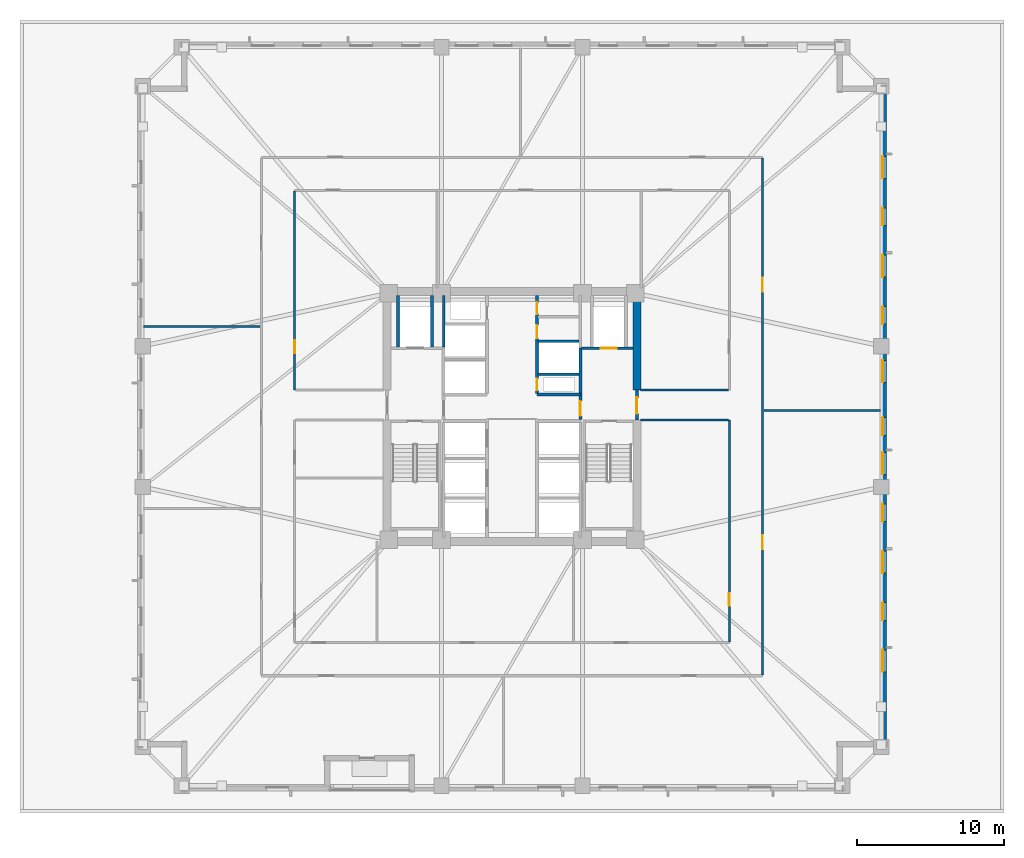
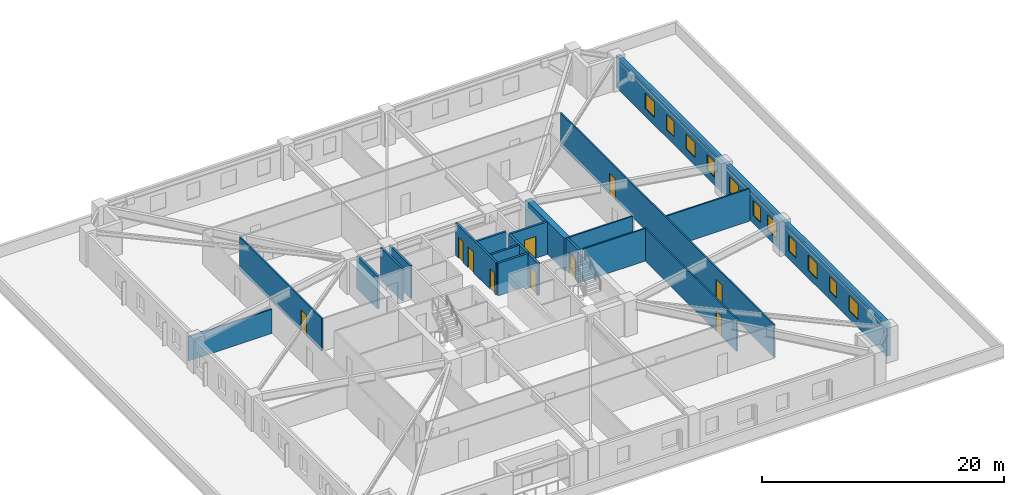
# One storey, part 5 of 12: 19 walls, 11 windows, 10 doors, 21 openings.
"""IFC4 building model written with IfcOpenShell, lengths in metres."""

from ifc_helpers import new_model, si_unit, direction, frame, frame_2d, origin, place, context, subcontext, project, spatial, rectangle, extrude, material, layer, layer_set, type_object, element, fill, save


model = new_model("IFC4")

# Units and contexts
model_context = context("Model", 3, precision=1e-05, world=origin(), true_north=direction((0.0, 1.0)))
body_context = subcontext(model_context, "Body", "Model", "MODEL_VIEW")
ifc_project = project(units=[si_unit("LENGTHUNIT", "METRE"), si_unit("AREAUNIT", "SQUARE_METRE"), si_unit("VOLUMEUNIT", "CUBIC_METRE"), si_unit("PLANEANGLEUNIT", "RADIAN"), si_unit("MASSUNIT", "GRAM", prefix="KILO")], contexts=[model_context])

# Site, building, storey
site_placement = place(None, origin())
site = spatial("IfcSite", under=ifc_project, at=site_placement, CompositionType="ELEMENT")
building_placement = place(site_placement, origin())
building = spatial("IfcBuilding", under=site, at=building_placement, Name="Cairnveth Concourse Tower", CompositionType="ELEMENT")
storey_placement = place(building_placement, frame((0.0, 0.0, 23.5)))
storey = spatial("IfcBuildingStorey", under=building, at=storey_placement, Name="L05", CompositionType="ELEMENT", Elevation=23.5)

# Walls
ifc_material_1 = material(Name="Concrete N80 (80 MPa)", Category="concrete")
ifc_layer_1 = layer(ifc_material_1, 0.550048828125)
ifc_layer_set_1 = layer_set([ifc_layer_1], Name="Concrete N80 (80 MPa)")
wall_type_1 = type_object("IfcWallType", Name="CORE SHEAR WALL 550", PredefinedType="SHEAR", material=ifc_layer_set_1)
wall_1_placement = place(storey_placement, frame((60.5, 40.800048828125, 0.0), z_axis=(0.0, 0.0, 1.0), x_axis=(0.0, 1.0, 0.0)))
element("IfcWall", 1, at=wall_1_placement, inside=storey, type_object=wall_type_1, Name="Core East Shear Wall N L05", PredefinedType="SHEAR", context=body_context, shape_type="SweptSolid", body=[
    extrude(rectangle(XDim=6.43505859375, YDim=0.550048828125, at=frame_2d((3.217529296875, 0.0))), origin(), (0.0, 0.0, 1.0), 3.280029296875),
])
ifc_material_2 = material(Name="Concrete N50 (50 MPa)", Category="concrete")
ifc_layer_2 = layer(ifc_material_2, 0.179931640625)
ifc_layer_set_2 = layer_set([ifc_layer_2], Name="Concrete N50 (50 MPa)")
wall_type_2 = type_object("IfcWallType", Name="FIRE SHAFT WALL 180", PredefinedType="SOLIDWALL", material=ifc_layer_set_2)
wall_2_placement = place(storey_placement, frame((47.35009765625, 43.735107421875, 0.0), z_axis=(0.0, 0.0, 1.0), x_axis=(0.0, 1.0, 0.0)))
element("IfcWall", 2, at=wall_2_placement, inside=storey, type_object=wall_type_2, Name="Interior Wall IW-L05-031", PredefinedType="SOLIDWALL", context=body_context, shape_type="SweptSolid", body=[
    extrude(rectangle(XDim=3.5048828125, YDim=0.179931640625, at=frame_2d((1.75244140625, 0.0))), origin(), (0.0, 0.0, 1.0), 3.280029296875),
])
wall_3_placement = place(storey_placement, frame((53.784912109375, 41.8798828125, 0.0), z_axis=(0.0, 0.0, 1.0), x_axis=(1.0, 0.0, 0.0)))
element("IfcWall", 3, at=wall_3_placement, inside=storey, type_object=wall_type_2, Name="Interior Wall IW-L05-035", PredefinedType="SOLIDWALL", context=body_context, shape_type="SweptSolid", body=[
    extrude(rectangle(XDim=2.780029296875, YDim=0.179931640625, at=frame_2d((1.39013671875, 0.0))), origin(), (0.0, 0.0, 1.0), 3.280029296875),
])
wall_4_placement = place(storey_placement, frame((53.784912109375, 44.1201171875, 0.0), z_axis=(0.0, 0.0, 1.0), x_axis=(1.0, 0.0, 0.0)))
element("IfcWall", 4, at=wall_4_placement, inside=storey, type_object=wall_type_2, Name="Interior Wall IW-L05-036", PredefinedType="SOLIDWALL", context=body_context, shape_type="SweptSolid", body=[
    extrude(rectangle(XDim=2.7900390625, YDim=0.179931640625, at=frame_2d((1.39501953125, 0.0))), origin(), (0.0, 0.0, 1.0), 3.280029296875),
])
ifc_layer_3 = layer(ifc_material_2, 0.199951171875)
ifc_layer_set_3 = layer_set([ifc_layer_3], Name="Concrete N50 (50 MPa)")
wall_type_3 = type_object("IfcWallType", Name="FIRE SHAFT WALL 200", PredefinedType="SOLIDWALL", material=ifc_layer_set_3)
wall_5_placement = place(storey_placement, frame((53.699951171875, 40.5, 0.0), z_axis=(0.0, 0.0, 1.0), x_axis=(1.0, 0.0, 0.0)))
element("IfcWall", 5, at=wall_5_placement, inside=storey, type_object=wall_type_3, Name="Interior Wall IW-L05-010", PredefinedType="SOLIDWALL", context=body_context, shape_type="SweptSolid", body=[
    extrude(rectangle(XDim=2.949951171875, YDim=0.199951171875, at=frame_2d((1.47509765625, 0.0))), origin(), (0.0, 0.0, 1.0), 3.280029296875),
])

# Wall, openings, doors
wall_6_placement = place(storey_placement, frame((53.699951171875, 40.5849609375, 0.0), z_axis=(0.0, 0.0, 1.0), x_axis=(0.0, 1.0, 0.0)))
wall_6 = element("IfcWall", 6, at=wall_6_placement, inside=storey, type_object=wall_type_3, Name="Interior Wall IW-L05-014", PredefinedType="SOLIDWALL", context=body_context, shape_type="SweptSolid", body=[
    extrude(rectangle(XDim=6.655029296875, YDim=0.199951171875, at=frame_2d((3.32763671875, 0.0))), origin(), (0.0, 0.0, 1.0), 3.280029296875),
])
opening_1_placement = place(wall_6_placement, frame((0.195068359375, 0.0, 0.0)))
opening_1 = element("IfcOpeningElement", 7, at=opening_1_placement, cuts=wall_6, Name="Opening ID24", PredefinedType="OPENING", context=body_context, shape_type="SweptSolid", body=[
    extrude(rectangle(XDim=0.800048828125, YDim=2.080078125, at=frame_2d((0.39990234375, 1.0400390625))), frame((0.0, 0.10986328125, 0.0), z_axis=(0.0, -1.0, 0.0), x_axis=(1.0, 0.0, 0.0)), (0.0, 0.0, 1.0), 0.219970703125),
])
opening_2_placement = place(wall_6_placement, frame((3.735107421875, 0.0, 0.0)))
opening_2 = element("IfcOpeningElement", 8, at=opening_2_placement, cuts=wall_6, Name="Opening ID26", PredefinedType="OPENING", context=body_context, shape_type="SweptSolid", body=[
    extrude(rectangle(XDim=0.89990234375, YDim=2.1201171875, at=frame_2d((0.449951171875, 1.06005859375))), frame((0.0, 0.10986328125, 0.0), z_axis=(0.0, -1.0, 0.0), x_axis=(1.0, 0.0, 0.0)), (0.0, 0.0, 1.0), 0.219970703125),
])
opening_3_placement = place(wall_6_placement, frame((5.39501953125, 0.0, 0.0)))
opening_3 = element("IfcOpeningElement", 9, at=opening_3_placement, cuts=wall_6, Name="Opening ID23", PredefinedType="OPENING", context=body_context, shape_type="SweptSolid", body=[
    extrude(rectangle(XDim=0.800048828125, YDim=2.10009765625, at=frame_2d((0.39990234375, 1.050048828125))), frame((0.0, 0.10986328125, 0.0), z_axis=(0.0, -1.0, 0.0), x_axis=(1.0, 0.0, 0.0)), (0.0, 0.0, 1.0), 0.219970703125),
])
ifc_material_3 = material(Name="Steel Grade 350", Category="steel")
door_type_1 = type_object("IfcDoorType", Name="CORE SERVICE DOOR 800X2100", OperationType="NOTDEFINED", PredefinedType="DOOR", material=ifc_material_3)
door_1_placement = place(opening_3_placement, origin())
door_1 = element("IfcDoor", 10, at=door_1_placement, inside=storey, type_object=door_type_1, Name="Core NE Cleaners Door L05", OperationType="SINGLE_SWING_LEFT", OverallHeight=2.10009765625, OverallWidth=0.800048828125, PredefinedType="DOOR", context=body_context, shape_type="SweptSolid", body=[
    extrude(rectangle(XDim=0.800048828125, YDim=2.10009765625, at=frame_2d((0.39990234375, 1.050048828125))), frame((0.0, 0.02490234375, 0.0), z_axis=(0.0, -1.0, 0.0), x_axis=(1.0, 0.0, 0.0)), (0.0, 0.0, 1.0), 0.050048828125),
])
fill(opening_3, door_1)
door_type_2 = type_object("IfcDoorType", Name="CORE TOILET FIRE DOOR 900X2120", OperationType="NOTDEFINED", PredefinedType="DOOR", material=ifc_material_3)
door_2_placement = place(opening_2_placement, origin())
door_2 = element("IfcDoor", 11, at=door_2_placement, inside=storey, type_object=door_type_2, Name="Core NE Unisex WC Door L05", OperationType="SINGLE_SWING_RIGHT", OverallHeight=2.1201171875, OverallWidth=0.89990234375, PredefinedType="DOOR", context=body_context, shape_type="SweptSolid", body=[
    extrude(rectangle(XDim=0.89990234375, YDim=2.1201171875, at=frame_2d((0.449951171875, 1.06005859375))), frame((0.0, 0.02490234375, 0.0), z_axis=(0.0, -1.0, 0.0), x_axis=(1.0, 0.0, 0.0)), (0.0, 0.0, 1.0), 0.050048828125),
])
fill(opening_2, door_2)
door_type_3 = type_object("IfcDoorType", Name="RISER ACCESS DOOR 800X2100", OperationType="NOTDEFINED", PredefinedType="DOOR", material=ifc_material_3)
door_3_placement = place(opening_1_placement, origin())
door_3 = element("IfcDoor", 12, at=door_3_placement, inside=storey, type_object=door_type_3, Name="Hydraulic Riser Door L05", OperationType="SINGLE_SWING_LEFT", OverallHeight=2.080078125, OverallWidth=0.800048828125, PredefinedType="DOOR", context=body_context, shape_type="SweptSolid", body=[
    extrude(rectangle(XDim=0.800048828125, YDim=2.080078125, at=frame_2d((0.39990234375, 1.0400390625))), frame((0.0, 0.02490234375, 0.0), z_axis=(0.0, -1.0, 0.0), x_axis=(1.0, 0.0, 0.0)), (0.0, 0.0, 1.0), 0.050048828125),
])
fill(opening_1, door_3)

# Walls
for number, where, z_axis, x_axis, name in (
    (13, (46.550048828125, 43.735107421875, 0.0), (0.0, 0.0, 1.0), (0.0, 1.0, 0.0), "Interior Wall IW-L05-018"),
    (14, (44.25, 43.735107421875, 0.0), (0.0, 0.0, 1.0), (0.0, 1.0, 0.0), "Interior Wall IW-L05-019"),
):
    element("IfcWall", number, at=place(storey_placement, frame(where, z_axis=z_axis, x_axis=x_axis)), inside=storey, type_object=wall_type_3, Name=name, PredefinedType="SOLIDWALL", context=body_context, shape_type="SweptSolid", body=[
        extrude(rectangle(XDim=3.5048828125, YDim=0.199951171875, at=frame_2d((1.75244140625, 0.0))), origin(), (0.0, 0.0, 1.0), 3.280029296875),
    ])

# Wall, opening, door
wall_7_placement = place(storey_placement, frame((60.5, 38.75, 0.0), z_axis=(0.0, 0.0, 1.0), x_axis=(0.0, 1.0, 0.0)))
wall_7 = element("IfcWall", 15, at=wall_7_placement, inside=storey, type_object=wall_type_3, Name="Interior Wall IW-L05-020", PredefinedType="SOLIDWALL", context=body_context, shape_type="SweptSolid", body=[
    extrude(rectangle(XDim=2.050048828125, YDim=0.199951171875, at=frame_2d((1.02490234375, 0.0))), origin(), (0.0, 0.0, 1.0), 3.280029296875),
])
opening_4_placement = place(wall_7_placement, frame((0.449951171875, 0.0, 0.0)))
opening_4 = element("IfcOpeningElement", 16, at=opening_4_placement, cuts=wall_7, Name="Opening ID06", PredefinedType="OPENING", context=body_context, shape_type="SweptSolid", body=[
    extrude(rectangle(XDim=1.10009765625, YDim=2.14990234375, at=frame_2d((0.550048828125, 1.074951171875))), frame((0.0, 0.10986328125, 0.0), z_axis=(0.0, -1.0, 0.0), x_axis=(1.0, 0.0, 0.0)), (0.0, 0.0, 1.0), 0.219970703125),
])
door_type_4 = type_object("IfcDoorType", Name="FIRE CORRIDOR DOOR 1100X2150", OperationType="NOTDEFINED", PredefinedType="DOOR", material=ifc_material_3)
door_4_placement = place(opening_4_placement, origin())
door_4 = element("IfcDoor", 17, at=door_4_placement, inside=storey, type_object=door_type_4, Name="East Wing to FF Lobby Door L05", OperationType="SINGLE_SWING_RIGHT", OverallHeight=2.14990234375, OverallWidth=1.10009765625, PredefinedType="DOOR", context=body_context, shape_type="SweptSolid", body=[
    extrude(rectangle(XDim=1.10009765625, YDim=2.14990234375, at=frame_2d((0.550048828125, 1.074951171875))), frame((0.0, 0.02490234375, 0.0), z_axis=(0.0, -1.0, 0.0), x_axis=(1.0, 0.0, 0.0)), (0.0, 0.0, 1.0), 0.050048828125),
])
fill(opening_4, door_4)

wall_8_placement = place(storey_placement, frame((56.64990234375, 38.784912109375, 0.0), z_axis=(0.0, 0.0, 1.0), x_axis=(0.0, 1.0, 0.0)))
wall_8 = element("IfcWall", 18, at=wall_8_placement, inside=storey, type_object=wall_type_3, Name="Interior Wall IW-L05-021", PredefinedType="SOLIDWALL", context=body_context, shape_type="SweptSolid", body=[
    extrude(rectangle(XDim=4.864990234375, YDim=0.199951171875, at=frame_2d((2.4326171875, 0.0))), origin(), (0.0, 0.0, 1.0), 3.280029296875),
])
opening_5_placement = place(wall_8_placement, frame((0.264892578125, 0.0, 0.0)))
opening_5 = element("IfcOpeningElement", 19, at=opening_5_placement, cuts=wall_8, Name="Opening ID07", PredefinedType="OPENING", context=body_context, shape_type="SweptSolid", body=[
    extrude(rectangle(XDim=1.0, YDim=2.14990234375, at=frame_2d((0.5, 1.074951171875))), frame((0.0, 0.10986328125, 0.0), z_axis=(0.0, -1.0, 0.0), x_axis=(1.0, 0.0, 0.0)), (0.0, 0.0, 1.0), 0.219970703125),
])
door_type_5 = type_object("IfcDoorType", Name="FIRE CORRIDOR DOOR 1000X2150", OperationType="NOTDEFINED", PredefinedType="DOOR", material=ifc_material_3)
door_5_placement = place(opening_5_placement, origin())
door_5 = element("IfcDoor", 20, at=door_5_placement, inside=storey, type_object=door_type_5, Name="FF Lobby East to Lift Lobby Door L05", OperationType="SINGLE_SWING_LEFT", OverallHeight=2.14990234375, OverallWidth=1.0, PredefinedType="DOOR", context=body_context, shape_type="SweptSolid", body=[
    extrude(rectangle(XDim=1.0, YDim=2.14990234375, at=frame_2d((0.5, 1.074951171875))), frame((0.0, 0.02490234375, 0.0), z_axis=(0.0, -1.0, 0.0), x_axis=(1.0, 0.0, 0.0)), (0.0, 0.0, 1.0), 0.050048828125),
])
fill(opening_5, door_5)

wall_9_placement = place(storey_placement, frame((56.735107421875, 43.64990234375, 0.0), z_axis=(0.0, 0.0, 1.0), x_axis=(1.0, 0.0, 0.0)))
wall_9 = element("IfcWall", 21, at=wall_9_placement, inside=storey, type_object=wall_type_3, Name="Interior Wall IW-L05-022", PredefinedType="SOLIDWALL", context=body_context, shape_type="SweptSolid", body=[
    extrude(rectangle(XDim=3.5048828125, YDim=0.199951171875, at=frame_2d((1.75244140625, 0.0))), origin(), (0.0, 0.0, 1.0), 3.280029296875),
])
opening_6_placement = place(wall_9_placement, frame((1.294921875, 0.0, 0.0)))
opening_6 = element("IfcOpeningElement", 22, at=opening_6_placement, cuts=wall_9, Name="Opening LD-1", PredefinedType="OPENING", context=body_context, shape_type="SweptSolid", body=[
    extrude(rectangle(XDim=1.10009765625, YDim=2.199951171875, at=frame_2d((0.550048828125, 1.10009765625))), frame((0.0, 0.10986328125, 0.0), z_axis=(0.0, -1.0, 0.0), x_axis=(1.0, 0.0, 0.0)), (0.0, 0.0, 1.0), 0.219970703125),
])
ifc_material_4 = material(Name="Architectural Bronze Anodised Aluminium 6063-T6", Category="aluminium")
door_type_6 = type_object("IfcDoorType", Name="LIFT LANDING DOOR 1100X2200", OperationType="SLIDING_TO_LEFT", PredefinedType="DOOR", material=ifc_material_4)
door_6_placement = place(opening_6_placement, origin())
door_6 = element("IfcDoor", 23, at=door_6_placement, inside=storey, type_object=door_type_6, Name="Lift FFL2 Landing Door L05", OperationType="SLIDING_TO_LEFT", OverallHeight=2.199951171875, OverallWidth=1.10009765625, PredefinedType="DOOR", context=body_context, shape_type="SweptSolid", body=[
    extrude(rectangle(XDim=1.10009765625, YDim=2.199951171875, at=frame_2d((0.550048828125, 1.10009765625))), frame((0.0, 0.02490234375, 0.0), z_axis=(0.0, -1.0, 0.0), x_axis=(1.0, 0.0, 0.0)), (0.0, 0.0, 1.0), 0.050048828125),
])
fill(opening_6, door_6)

# Wall, openings, doors
ifc_material_5 = material(Name="Gypsum Plasterboard Partition", Category="gypsum")
ifc_layer_4 = layer(ifc_material_5, 0.139892578125)
ifc_layer_set_4 = layer_set([ifc_layer_4], Name="Gypsum Plasterboard Partition")
wall_type_4 = type_object("IfcWallType", Name="GYPSUM STUD PARTITION 140", PredefinedType="PARTITIONING", material=ifc_layer_set_4)
wall_10_placement = place(storey_placement, frame((69.050048828125, 21.405029296875, 0.0), z_axis=(0.0, 0.0, 1.0), x_axis=(0.0, 1.0, 0.0)))
wall_10 = element("IfcWall", 24, at=wall_10_placement, inside=storey, type_object=wall_type_4, Name="Interior Wall IW-L05-041", PredefinedType="PARTITIONING", context=body_context, shape_type="SweptSolid", body=[
    extrude(rectangle(XDim=35.18994140625, YDim=0.139892578125, at=frame_2d((17.594970703125, 0.0))), origin(), (0.0, 0.0, 1.0), 3.280029296875),
])
opening_7_placement = place(wall_10_placement, frame((8.544921875, 0.0, 0.0)))
opening_7 = element("IfcOpeningElement", 25, at=opening_7_placement, cuts=wall_10, Name="Opening ID11", PredefinedType="OPENING", context=body_context, shape_type="SweptSolid", body=[
    extrude(rectangle(XDim=0.9599609375, YDim=2.1201171875, at=frame_2d((0.47998046875, 1.06005859375))), frame((0.0, 0.079833984375, 0.0), z_axis=(0.0, -1.0, 0.0), x_axis=(1.0, 0.0, 0.0)), (0.0, 0.0, 1.0), 0.159912109375),
])
opening_8_placement = place(wall_10_placement, frame((26.0947265625, 0.0, 0.0)))
opening_8 = element("IfcOpeningElement", 26, at=opening_8_placement, cuts=wall_10, Name="Opening ID11", PredefinedType="OPENING", context=body_context, shape_type="SweptSolid", body=[
    extrude(rectangle(XDim=0.9599609375, YDim=2.1201171875, at=frame_2d((0.47998046875, 1.06005859375))), frame((0.0, 0.079833984375, 0.0), z_axis=(0.0, -1.0, 0.0), x_axis=(1.0, 0.0, 0.0)), (0.0, 0.0, 1.0), 0.159912109375),
])
ifc_material_6 = material(Name="Solid Core Hardwood Timber Leaf", Category="wood")
door_type_7 = type_object("IfcDoorType", Name="INTERIOR SINGLE DOOR 960X2150", OperationType="NOTDEFINED", PredefinedType="DOOR", material=ifc_material_6)
door_7_placement = place(opening_7_placement, origin())
door_7 = element("IfcDoor", 27, at=door_7_placement, inside=storey, type_object=door_type_7, Name="Office Door L05-E1", OperationType="SINGLE_SWING_RIGHT", OverallHeight=2.1201171875, OverallWidth=0.9599609375, PredefinedType="DOOR", context=body_context, shape_type="SweptSolid", body=[
    extrude(rectangle(XDim=0.9599609375, YDim=2.1201171875, at=frame_2d((0.47998046875, 1.06005859375))), frame((0.0, 0.02490234375, 0.0), z_axis=(0.0, -1.0, 0.0), x_axis=(1.0, 0.0, 0.0)), (0.0, 0.0, 1.0), 0.050048828125),
])
fill(opening_7, door_7)
door_8_placement = place(opening_8_placement, origin())
door_8 = element("IfcDoor", 28, at=door_8_placement, inside=storey, type_object=door_type_7, Name="Office Door L05-E2", OperationType="SINGLE_SWING_LEFT", OverallHeight=2.1201171875, OverallWidth=0.9599609375, PredefinedType="DOOR", context=body_context, shape_type="SweptSolid", body=[
    extrude(rectangle(XDim=0.9599609375, YDim=2.1201171875, at=frame_2d((0.47998046875, 1.06005859375))), frame((0.0, 0.02490234375, 0.0), z_axis=(0.0, -1.0, 0.0), x_axis=(1.0, 0.0, 0.0)), (0.0, 0.0, 1.0), 0.050048828125),
])
fill(opening_8, door_8)

# Wall, opening, door
wall_11_placement = place(storey_placement, frame((37.199951171875, 40.800048828125, 0.0), z_axis=(0.0, 0.0, 1.0), x_axis=(0.0, 1.0, 0.0)))
wall_11 = element("IfcWall", 29, at=wall_11_placement, inside=storey, type_object=wall_type_4, Name="Interior Wall IW-L05-045", PredefinedType="PARTITIONING", context=body_context, shape_type="SweptSolid", body=[
    extrude(rectangle(XDim=13.544921875, YDim=0.139892578125, at=frame_2d((6.7724609375, 0.0))), origin(), (0.0, 0.0, 1.0), 3.280029296875),
])
opening_9_placement = place(wall_11_placement, frame((2.5, 0.0, 0.0)))
opening_9 = element("IfcOpeningElement", 30, at=opening_9_placement, cuts=wall_11, Name="Opening ID18", PredefinedType="OPENING", context=body_context, shape_type="SweptSolid", body=[
    extrude(rectangle(XDim=0.8798828125, YDim=2.10009765625, at=frame_2d((0.43994140625, 1.050048828125))), frame((0.0, 0.079833984375, 0.0), z_axis=(0.0, -1.0, 0.0), x_axis=(1.0, 0.0, 0.0)), (0.0, 0.0, 1.0), 0.159912109375),
])
door_type_8 = type_object("IfcDoorType", Name="INTERIOR SINGLE DOOR 880X2100", OperationType="NOTDEFINED", PredefinedType="DOOR", material=ifc_material_6)
door_9_placement = place(opening_9_placement, origin())
door_9 = element("IfcDoor", 31, at=door_9_placement, inside=storey, type_object=door_type_8, Name="Interior Door DR-L05-022", OperationType="SINGLE_SWING_RIGHT", OverallHeight=2.10009765625, OverallWidth=0.8798828125, PredefinedType="DOOR", context=body_context, shape_type="SweptSolid", body=[
    extrude(rectangle(XDim=0.8798828125, YDim=2.10009765625, at=frame_2d((0.43994140625, 1.050048828125))), frame((0.0, 0.02490234375, 0.0), z_axis=(0.0, -1.0, 0.0), x_axis=(1.0, 0.0, 0.0)), (0.0, 0.0, 1.0), 0.050048828125),
])
fill(opening_9, door_9)

wall_12_placement = place(storey_placement, frame((66.800048828125, 23.655029296875, 0.0), z_axis=(0.0, 0.0, 1.0), x_axis=(0.0, 1.0, 0.0)))
wall_12 = element("IfcWall", 32, at=wall_12_placement, inside=storey, type_object=wall_type_4, Name="Interior Wall IW-L05-048", PredefinedType="PARTITIONING", context=body_context, shape_type="SweptSolid", body=[
    extrude(rectangle(XDim=15.094970703125, YDim=0.139892578125, at=frame_2d((7.54736328125, 0.0))), origin(), (0.0, 0.0, 1.0), 3.280029296875),
])
opening_10_placement = place(wall_12_placement, frame((2.445068359375, 0.0, 0.0)))
opening_10 = element("IfcOpeningElement", 33, at=opening_10_placement, cuts=wall_12, Name="Opening ID18", PredefinedType="OPENING", context=body_context, shape_type="SweptSolid", body=[
    extrude(rectangle(XDim=0.8798828125, YDim=2.10009765625, at=frame_2d((0.43994140625, 1.050048828125))), frame((0.0, 0.079833984375, 0.0), z_axis=(0.0, -1.0, 0.0), x_axis=(1.0, 0.0, 0.0)), (0.0, 0.0, 1.0), 0.159912109375),
])
door_10_placement = place(opening_10_placement, origin())
door_10 = element("IfcDoor", 34, at=door_10_placement, inside=storey, type_object=door_type_8, Name="Interior Door DR-L05-023", OperationType="SINGLE_SWING_LEFT", OverallHeight=2.10009765625, OverallWidth=0.8798828125, PredefinedType="DOOR", context=body_context, shape_type="SweptSolid", body=[
    extrude(rectangle(XDim=0.8798828125, YDim=2.10009765625, at=frame_2d((0.43994140625, 1.050048828125))), frame((0.0, 0.02490234375, 0.0), z_axis=(0.0, -1.0, 0.0), x_axis=(1.0, 0.0, 0.0)), (0.0, 0.0, 1.0), 0.050048828125),
])
fill(opening_10, door_10)

# Walls
for number, where, z_axis, x_axis, name in (
    (35, (60.760009765625, 38.75, 0.0), (0.0, 0.0, 1.0), (1.0, 0.0, 0.0), "Interior Wall IW-L05-050"),
    (36, (60.760009765625, 40.800048828125, 0.0), (0.0, 0.0, 1.0), (1.0, 0.0, 0.0), "Interior Wall IW-L05-051"),
):
    element("IfcWall", number, at=place(storey_placement, frame(where, z_axis=z_axis, x_axis=x_axis)), inside=storey, type_object=wall_type_4, Name=name, PredefinedType="PARTITIONING", context=body_context, shape_type="SweptSolid", body=[
        extrude(rectangle(XDim=5.985107421875, YDim=0.139892578125, at=frame_2d((2.99267578125, 0.0))), origin(), (0.0, 0.0, 1.0), 3.280029296875),
    ])
wall_13_placement = place(storey_placement, frame((26.919921875, 45.133544921875, 0.0), z_axis=(0.0, 0.0, 1.0), x_axis=(1.0, 0.0, 0.0)))
element("IfcWall", 37, at=wall_13_placement, inside=storey, type_object=wall_type_4, Name="Interior Wall IW-L05-060", PredefinedType="PARTITIONING", context=body_context, shape_type="SweptSolid", body=[
    extrude(rectangle(XDim=7.93017578125, YDim=0.139892578125, at=frame_2d((3.965087890625, 0.0))), origin(), (0.0, 0.0, 1.0), 2.43896484375),
])
wall_14_placement = place(storey_placement, frame((69.14990234375, 39.409423828125, 0.0), z_axis=(0.0, 0.0, 1.0), x_axis=(1.0, 0.0, 0.0)))
element("IfcWall", 38, at=wall_14_placement, inside=storey, type_object=wall_type_4, Name="Interior Wall IW-L05-061", PredefinedType="PARTITIONING", context=body_context, shape_type="SweptSolid", body=[
    extrude(rectangle(XDim=7.93017578125, YDim=0.139892578125, at=frame_2d((3.965087890625, 0.0))), origin(), (0.0, 0.0, 1.0), 3.280029296875),
])

# Wall, openings, windows
ifc_material_7 = material(Name="Hawthorn Red-Ochre Fired Clay Brick Masonry", Category="masonry")
ifc_layer_5 = layer(ifc_material_7, 0.360107421875)
ifc_layer_set_5 = layer_set([ifc_layer_5], Name="Hawthorn Red-Ochre Fired Clay Brick Masonry")
wall_type_5 = type_object("IfcWallType", Name="ZONE 1 BRICK PIER SPANDREL WALL 360", PredefinedType="SOLIDWALL", material=ifc_layer_set_5)
wall_15_placement = place(storey_placement, frame((77.320068359375, 61.5, 0.0), z_axis=(0.0, 0.0, 1.0), x_axis=(0.0, -1.0, 0.0)))
wall_15 = element("IfcWall", 39, at=wall_15_placement, inside=storey, type_object=wall_type_5, Name="Exterior Wall EW-L05-S09", PredefinedType="SOLIDWALL", context=body_context, shape_type="SweptSolid", body=[
    extrude(rectangle(XDim=44.662109375, YDim=0.360107421875, at=frame_2d((22.3310546875, 0.0))), origin(), (0.0, 0.0, 1.0), 3.280029296875),
])
opening_11_placement = place(wall_15_placement, frame((4.780029296875, 0.0, 0.800048828125)))
opening_11 = element("IfcOpeningElement", 40, at=opening_11_placement, cuts=wall_15, Name="Opening W03", PredefinedType="OPENING", context=body_context, shape_type="SweptSolid", body=[
    extrude(rectangle(XDim=1.5, YDim=1.5439453125, at=frame_2d((0.75, 0.77197265625))), frame((0.0, 0.18994140625, 0.0), z_axis=(0.0, -1.0, 0.0), x_axis=(1.0, 0.0, 0.0)), (0.0, 0.0, 1.0), 0.380126953125),
])
opening_12_placement = place(wall_15_placement, frame((8.290283203125, 0.0, 0.800048828125)))
opening_12 = element("IfcOpeningElement", 41, at=opening_12_placement, cuts=wall_15, Name="Opening W01", PredefinedType="OPENING", context=body_context, shape_type="SweptSolid", body=[
    extrude(rectangle(XDim=1.199951171875, YDim=1.5439453125, at=frame_2d((0.60009765625, 0.77197265625))), frame((0.0, 0.18994140625, 0.0), z_axis=(0.0, -1.0, 0.0), x_axis=(1.0, 0.0, 0.0)), (0.0, 0.0, 1.0), 0.380126953125),
])
opening_13_placement = place(wall_15_placement, frame((11.50048828125, 0.0, 0.800048828125)))
opening_13 = element("IfcOpeningElement", 42, at=opening_13_placement, cuts=wall_15, Name="Opening W03", PredefinedType="OPENING", context=body_context, shape_type="SweptSolid", body=[
    extrude(rectangle(XDim=1.5, YDim=1.5439453125, at=frame_2d((0.75, 0.77197265625))), frame((0.0, 0.18994140625, 0.0), z_axis=(0.0, -1.0, 0.0), x_axis=(1.0, 0.0, 0.0)), (0.0, 0.0, 1.0), 0.380126953125),
])
opening_14_placement = place(wall_15_placement, frame((15.010498046875, 0.0, 0.800048828125)))
opening_14 = element("IfcOpeningElement", 43, at=opening_14_placement, cuts=wall_15, Name="Opening W01", PredefinedType="OPENING", context=body_context, shape_type="SweptSolid", body=[
    extrude(rectangle(XDim=1.199951171875, YDim=1.5439453125, at=frame_2d((0.60009765625, 0.77197265625))), frame((0.0, 0.18994140625, 0.0), z_axis=(0.0, -1.0, 0.0), x_axis=(1.0, 0.0, 0.0)), (0.0, 0.0, 1.0), 0.380126953125),
])
opening_15_placement = place(wall_15_placement, frame((18.6708984375, 0.0, 0.800048828125)))
opening_15 = element("IfcOpeningElement", 44, at=opening_15_placement, cuts=wall_15, Name="Opening W03", PredefinedType="OPENING", context=body_context, shape_type="SweptSolid", body=[
    extrude(rectangle(XDim=1.5, YDim=1.5439453125, at=frame_2d((0.75, 0.77197265625))), frame((0.0, 0.18994140625, 0.0), z_axis=(0.0, -1.0, 0.0), x_axis=(1.0, 0.0, 0.0)), (0.0, 0.0, 1.0), 0.380126953125),
])
opening_16_placement = place(wall_15_placement, frame((22.5810546875, 0.0, 0.800048828125)))
opening_16 = element("IfcOpeningElement", 45, at=opening_16_placement, cuts=wall_15, Name="Opening W01", PredefinedType="OPENING", context=body_context, shape_type="SweptSolid", body=[
    extrude(rectangle(XDim=1.199951171875, YDim=1.5439453125, at=frame_2d((0.60009765625, 0.77197265625))), frame((0.0, 0.18994140625, 0.0), z_axis=(0.0, -1.0, 0.0), x_axis=(1.0, 0.0, 0.0)), (0.0, 0.0, 1.0), 0.380126953125),
])
opening_17_placement = place(wall_15_placement, frame((24.941162109375, 0.0, 0.800048828125)))
opening_17 = element("IfcOpeningElement", 46, at=opening_17_placement, cuts=wall_15, Name="Opening W03", PredefinedType="OPENING", context=body_context, shape_type="SweptSolid", body=[
    extrude(rectangle(XDim=1.5, YDim=1.5439453125, at=frame_2d((0.75, 0.77197265625))), frame((0.0, 0.18994140625, 0.0), z_axis=(0.0, -1.0, 0.0), x_axis=(1.0, 0.0, 0.0)), (0.0, 0.0, 1.0), 0.380126953125),
])
opening_18_placement = place(wall_15_placement, frame((28.451416015625, 0.0, 0.800048828125)))
opening_18 = element("IfcOpeningElement", 47, at=opening_18_placement, cuts=wall_15, Name="Opening W01", PredefinedType="OPENING", context=body_context, shape_type="SweptSolid", body=[
    extrude(rectangle(XDim=1.199951171875, YDim=1.5439453125, at=frame_2d((0.60009765625, 0.77197265625))), frame((0.0, 0.18994140625, 0.0), z_axis=(0.0, -1.0, 0.0), x_axis=(1.0, 0.0, 0.0)), (0.0, 0.0, 1.0), 0.380126953125),
])
opening_19_placement = place(wall_15_placement, frame((31.66162109375, 0.0, 0.800048828125)))
opening_19 = element("IfcOpeningElement", 48, at=opening_19_placement, cuts=wall_15, Name="Opening W03", PredefinedType="OPENING", context=body_context, shape_type="SweptSolid", body=[
    extrude(rectangle(XDim=1.5, YDim=1.5439453125, at=frame_2d((0.75, 0.77197265625))), frame((0.0, 0.18994140625, 0.0), z_axis=(0.0, -1.0, 0.0), x_axis=(1.0, 0.0, 0.0)), (0.0, 0.0, 1.0), 0.380126953125),
])
opening_20_placement = place(wall_15_placement, frame((35.171630859375, 0.0, 0.800048828125)))
opening_20 = element("IfcOpeningElement", 49, at=opening_20_placement, cuts=wall_15, Name="Opening W01", PredefinedType="OPENING", context=body_context, shape_type="SweptSolid", body=[
    extrude(rectangle(XDim=1.199951171875, YDim=1.5439453125, at=frame_2d((0.60009765625, 0.77197265625))), frame((0.0, 0.18994140625, 0.0), z_axis=(0.0, -1.0, 0.0), x_axis=(1.0, 0.0, 0.0)), (0.0, 0.0, 1.0), 0.380126953125),
])
opening_21_placement = place(wall_15_placement, frame((38.3818359375, 0.0, 0.800048828125)))
opening_21 = element("IfcOpeningElement", 50, at=opening_21_placement, cuts=wall_15, Name="Opening W03", PredefinedType="OPENING", context=body_context, shape_type="SweptSolid", body=[
    extrude(rectangle(XDim=1.5, YDim=1.5439453125, at=frame_2d((0.75, 0.77197265625))), frame((0.0, 0.18994140625, 0.0), z_axis=(0.0, -1.0, 0.0), x_axis=(1.0, 0.0, 0.0)), (0.0, 0.0, 1.0), 0.380126953125),
])
ifc_material_8 = material(Name="Double Glazed Low-E Clear Glass", Category="glass")
window_type_1 = type_object("IfcWindowType", Name="DEEP-SET GOTHIC LANCET WINDOW 1200X1800", PartitioningType="DOUBLE_PANEL_VERTICAL", PredefinedType="WINDOW", material=ifc_material_8)
window_1_placement = place(opening_12_placement, origin())
window_1 = element("IfcWindow", 51, at=window_1_placement, inside=storey, type_object=window_type_1, Name="Gothic Lancet Window L05-9-2", OverallHeight=1.5439453125, OverallWidth=1.199951171875, PartitioningType="SINGLE_PANEL", PredefinedType="WINDOW", context=body_context, shape_type="SweptSolid", body=[
    extrude(rectangle(XDim=1.199951171875, YDim=1.5439453125, at=frame_2d((0.60009765625, 0.77197265625))), frame((0.0, -0.050048828125, 0.0), z_axis=(0.0, -1.0, 0.0), x_axis=(1.0, 0.0, 0.0)), (0.0, 0.0, 1.0), 0.06005859375),
])
fill(opening_12, window_1)
window_2_placement = place(opening_14_placement, origin())
window_2 = element("IfcWindow", 52, at=window_2_placement, inside=storey, type_object=window_type_1, Name="Gothic Lancet Window L05-9-4", OverallHeight=1.5439453125, OverallWidth=1.199951171875, PartitioningType="SINGLE_PANEL", PredefinedType="WINDOW", context=body_context, shape_type="SweptSolid", body=[
    extrude(rectangle(XDim=1.199951171875, YDim=1.5439453125, at=frame_2d((0.60009765625, 0.77197265625))), frame((0.0, -0.050048828125, 0.0), z_axis=(0.0, -1.0, 0.0), x_axis=(1.0, 0.0, 0.0)), (0.0, 0.0, 1.0), 0.06005859375),
])
fill(opening_14, window_2)
window_3_placement = place(opening_16_placement, origin())
window_3 = element("IfcWindow", 53, at=window_3_placement, inside=storey, type_object=window_type_1, Name="Gothic Lancet Window L05-9-6", OverallHeight=1.5439453125, OverallWidth=1.199951171875, PartitioningType="SINGLE_PANEL", PredefinedType="WINDOW", context=body_context, shape_type="SweptSolid", body=[
    extrude(rectangle(XDim=1.199951171875, YDim=1.5439453125, at=frame_2d((0.60009765625, 0.77197265625))), frame((0.0, -0.050048828125, 0.0), z_axis=(0.0, -1.0, 0.0), x_axis=(1.0, 0.0, 0.0)), (0.0, 0.0, 1.0), 0.06005859375),
])
fill(opening_16, window_3)
window_4_placement = place(opening_18_placement, origin())
window_4 = element("IfcWindow", 54, at=window_4_placement, inside=storey, type_object=window_type_1, Name="Gothic Lancet Window L05-9-8", OverallHeight=1.5439453125, OverallWidth=1.199951171875, PartitioningType="SINGLE_PANEL", PredefinedType="WINDOW", context=body_context, shape_type="SweptSolid", body=[
    extrude(rectangle(XDim=1.199951171875, YDim=1.5439453125, at=frame_2d((0.60009765625, 0.77197265625))), frame((0.0, -0.050048828125, 0.0), z_axis=(0.0, -1.0, 0.0), x_axis=(1.0, 0.0, 0.0)), (0.0, 0.0, 1.0), 0.06005859375),
])
fill(opening_18, window_4)
window_5_placement = place(opening_20_placement, origin())
window_5 = element("IfcWindow", 55, at=window_5_placement, inside=storey, type_object=window_type_1, Name="Gothic Lancet Window L05-9-10", OverallHeight=1.5439453125, OverallWidth=1.199951171875, PartitioningType="SINGLE_PANEL", PredefinedType="WINDOW", context=body_context, shape_type="SweptSolid", body=[
    extrude(rectangle(XDim=1.199951171875, YDim=1.5439453125, at=frame_2d((0.60009765625, 0.77197265625))), frame((0.0, -0.050048828125, 0.0), z_axis=(0.0, -1.0, 0.0), x_axis=(1.0, 0.0, 0.0)), (0.0, 0.0, 1.0), 0.06005859375),
])
fill(opening_20, window_5)
window_type_2 = type_object("IfcWindowType", Name="DEEP-SET GOTHIC LANCET WINDOW 1500X1800", PartitioningType="DOUBLE_PANEL_VERTICAL", PredefinedType="WINDOW", material=ifc_material_8)
window_6_placement = place(opening_11_placement, origin())
window_6 = element("IfcWindow", 56, at=window_6_placement, inside=storey, type_object=window_type_2, Name="Gothic Lancet Window L05-9-1", OverallHeight=1.5439453125, OverallWidth=1.5, PartitioningType="SINGLE_PANEL", PredefinedType="WINDOW", context=body_context, shape_type="SweptSolid", body=[
    extrude(rectangle(XDim=1.5, YDim=1.5439453125, at=frame_2d((0.75, 0.77197265625))), frame((0.0, -0.050048828125, 0.0), z_axis=(0.0, -1.0, 0.0), x_axis=(1.0, 0.0, 0.0)), (0.0, 0.0, 1.0), 0.06005859375),
])
fill(opening_11, window_6)
window_7_placement = place(opening_13_placement, origin())
window_7 = element("IfcWindow", 57, at=window_7_placement, inside=storey, type_object=window_type_2, Name="Gothic Lancet Window L05-9-3", OverallHeight=1.5439453125, OverallWidth=1.5, PartitioningType="SINGLE_PANEL", PredefinedType="WINDOW", context=body_context, shape_type="SweptSolid", body=[
    extrude(rectangle(XDim=1.5, YDim=1.5439453125, at=frame_2d((0.75, 0.77197265625))), frame((0.0, -0.050048828125, 0.0), z_axis=(0.0, -1.0, 0.0), x_axis=(1.0, 0.0, 0.0)), (0.0, 0.0, 1.0), 0.06005859375),
])
fill(opening_13, window_7)
window_8_placement = place(opening_15_placement, origin())
window_8 = element("IfcWindow", 58, at=window_8_placement, inside=storey, type_object=window_type_2, Name="Gothic Lancet Window L05-9-5", OverallHeight=1.5439453125, OverallWidth=1.5, PartitioningType="SINGLE_PANEL", PredefinedType="WINDOW", context=body_context, shape_type="SweptSolid", body=[
    extrude(rectangle(XDim=1.5, YDim=1.5439453125, at=frame_2d((0.75, 0.77197265625))), frame((0.0, -0.050048828125, 0.0), z_axis=(0.0, -1.0, 0.0), x_axis=(1.0, 0.0, 0.0)), (0.0, 0.0, 1.0), 0.06005859375),
])
fill(opening_15, window_8)
window_9_placement = place(opening_17_placement, origin())
window_9 = element("IfcWindow", 59, at=window_9_placement, inside=storey, type_object=window_type_2, Name="Gothic Lancet Window L05-9-7", OverallHeight=1.5439453125, OverallWidth=1.5, PartitioningType="SINGLE_PANEL", PredefinedType="WINDOW", context=body_context, shape_type="SweptSolid", body=[
    extrude(rectangle(XDim=1.5, YDim=1.5439453125, at=frame_2d((0.75, 0.77197265625))), frame((0.0, -0.050048828125, 0.0), z_axis=(0.0, -1.0, 0.0), x_axis=(1.0, 0.0, 0.0)), (0.0, 0.0, 1.0), 0.06005859375),
])
fill(opening_17, window_9)
window_10_placement = place(opening_19_placement, origin())
window_10 = element("IfcWindow", 60, at=window_10_placement, inside=storey, type_object=window_type_2, Name="Gothic Lancet Window L05-9-9", OverallHeight=1.5439453125, OverallWidth=1.5, PartitioningType="SINGLE_PANEL", PredefinedType="WINDOW", context=body_context, shape_type="SweptSolid", body=[
    extrude(rectangle(XDim=1.5, YDim=1.5439453125, at=frame_2d((0.75, 0.77197265625))), frame((0.0, -0.050048828125, 0.0), z_axis=(0.0, -1.0, 0.0), x_axis=(1.0, 0.0, 0.0)), (0.0, 0.0, 1.0), 0.06005859375),
])
fill(opening_19, window_10)
window_11_placement = place(opening_21_placement, origin())
window_11 = element("IfcWindow", 61, at=window_11_placement, inside=storey, type_object=window_type_2, Name="Gothic Lancet Window L05-9-11", OverallHeight=1.5439453125, OverallWidth=1.5, PartitioningType="SINGLE_PANEL", PredefinedType="WINDOW", context=body_context, shape_type="SweptSolid", body=[
    extrude(rectangle(XDim=1.5, YDim=1.5439453125, at=frame_2d((0.75, 0.77197265625))), frame((0.0, -0.050048828125, 0.0), z_axis=(0.0, -1.0, 0.0), x_axis=(1.0, 0.0, 0.0)), (0.0, 0.0, 1.0), 0.06005859375),
])
fill(opening_21, window_11)

save(model, "model.ifc")
